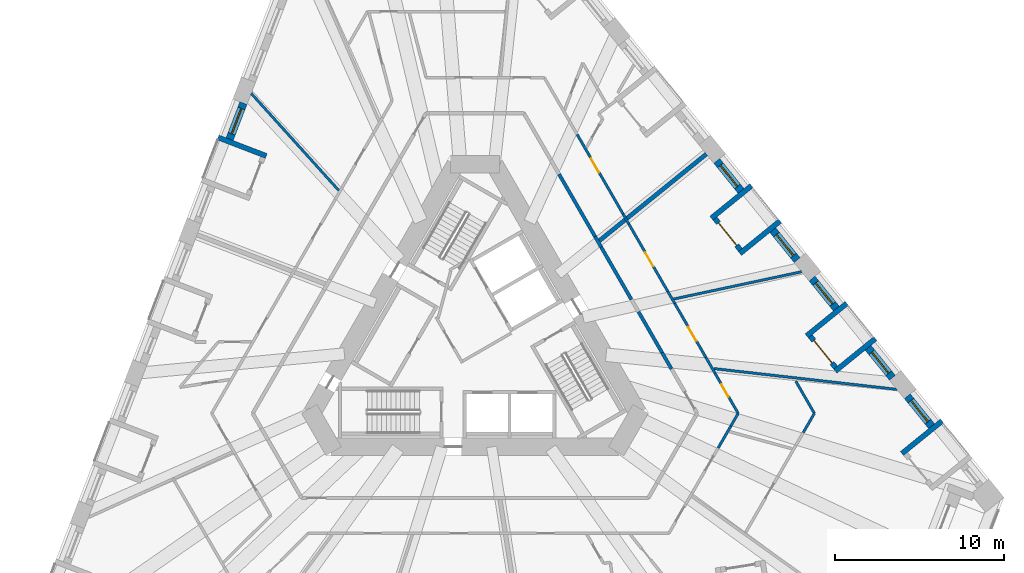
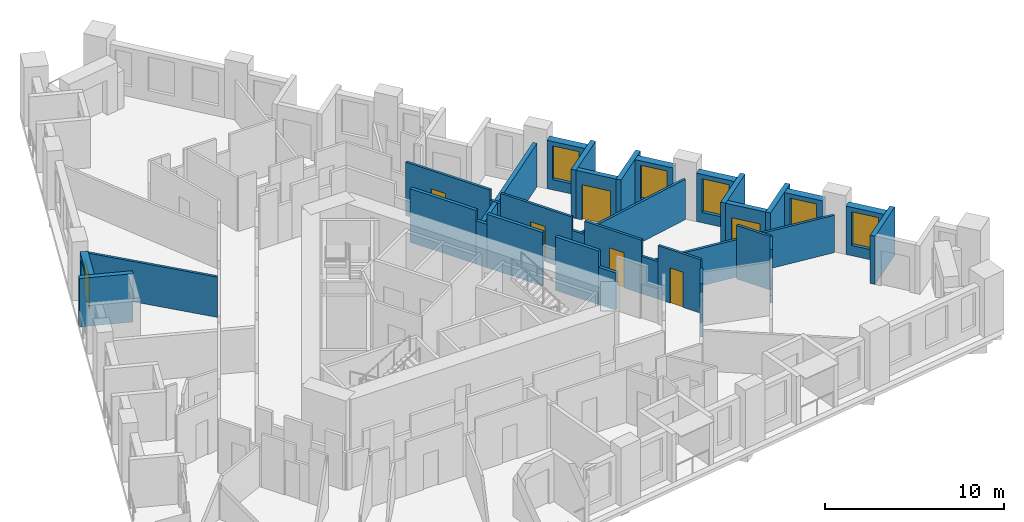
# One storey, part 7 of 14: 34 walls, 6 doors, 6 windows, 12 openings.
"""IFC4 building model written with IfcOpenShell, lengths in metres."""

from ifc_helpers import new_model, si_unit, direction, frame, frame_2d, origin, place, context, subcontext, project, spatial, rectangle, extrude, material, layer, layer_set, type_object, element, fill, save


model = new_model("IFC4")

# Units and contexts
model_context = context("Model", 3, precision=1e-05, world=origin(), true_north=direction((0.0, 1.0)))
body_context = subcontext(model_context, "Body", "Model", "MODEL_VIEW")
ifc_project = project(units=[si_unit("LENGTHUNIT", "METRE"), si_unit("AREAUNIT", "SQUARE_METRE"), si_unit("VOLUMEUNIT", "CUBIC_METRE"), si_unit("PLANEANGLEUNIT", "RADIAN"), si_unit("MASSUNIT", "GRAM", prefix="KILO")], contexts=[model_context])

# Site, building, storey
site_placement = place(None, origin())
site = spatial("IfcSite", under=ifc_project, at=site_placement, CompositionType="ELEMENT")
building_placement = place(site_placement, origin())
building = spatial("IfcBuilding", under=site, at=building_placement, Name="Tramontana Tower", CompositionType="ELEMENT")
storey_placement = place(building_placement, frame((0.0, 0.0, 55.199951171875)))
storey = spatial("IfcBuildingStorey", under=building, at=storey_placement, Name="L11", CompositionType="ELEMENT", Elevation=55.199951171875)

# Walls
ifc_material_1 = material(Name="Blockwork", Category="masonry")
ifc_layer_1 = layer(ifc_material_1, 0.199951171875)
ifc_layer_set_1 = layer_set([ifc_layer_1], Name="ENTRY WALL 200")
wall_type_1 = type_object("IfcWallType", Name="ENTRY WALL 200", PredefinedType="SOLIDWALL", material=ifc_layer_set_1)
wall_1_placement = place(storey_placement, frame((4.97265625, 9.88720703125, 0.0), z_axis=(0.0, 0.0, 1.0), x_axis=(0.500000470374, -0.866025132214, 0.0)))
element("IfcWall", 1, at=wall_1_placement, inside=storey, type_object=wall_type_1, Name="Wall v10-ew0-2", PredefinedType="SOLIDWALL", context=body_context, shape_type="SweptSolid", body=[
    extrude(rectangle(XDim=4.2568359375, YDim=0.199951171875, at=frame_2d((2.12841796875, 0.0))), origin(), (0.0, 0.0, 1.0), 3.650146484375),
])
wall_2_placement = place(storey_placement, frame((7.10107421875, 6.20068359375, 0.0), z_axis=(0.0, 0.0, 1.0), x_axis=(0.499881507708, -0.866093804534, 0.0)))
element("IfcWall", 2, at=wall_2_placement, inside=storey, type_object=wall_type_1, Name="Wall v10-ew0-3", PredefinedType="SOLIDWALL", context=body_context, shape_type="SweptSolid", body=[
    extrude(rectangle(XDim=0.708740234375, YDim=0.199951171875, at=frame_2d((0.3544921875, 0.0))), origin(), (0.0, 0.0, 1.0), 2.949951171875),
])
wall_3_placement = place(storey_placement, frame((7.455322265625, 5.5869140625, 0.0), z_axis=(0.0, 0.0, 1.0), x_axis=(0.500013241293, -0.866017758786, 0.0)))
element("IfcWall", 3, at=wall_3_placement, inside=storey, type_object=wall_type_1, Name="Wall v10-ew0-4", PredefinedType="SOLIDWALL", context=body_context, shape_type="SweptSolid", body=[
    extrude(rectangle(XDim=3.58544921875, YDim=0.199951171875, at=frame_2d((1.792724609375, 0.0))), origin(), (0.0, 0.0, 1.0), 3.650146484375),
])
wall_4_placement = place(storey_placement, frame((9.667236328125, 1.756103515625, 0.0), z_axis=(0.0, 0.0, 1.0), x_axis=(0.499964529649, -0.866045881633, 0.0)))
element("IfcWall", 4, at=wall_4_placement, inside=storey, type_object=wall_type_1, Name="Wall v10-ew0-6", PredefinedType="SOLIDWALL", context=body_context, shape_type="SweptSolid", body=[
    extrude(rectangle(XDim=2.793701171875, YDim=0.199951171875, at=frame_2d((1.39697265625, 0.0))), origin(), (0.0, 0.0, 1.0), 3.650146484375),
])
wall_5_placement = place(storey_placement, frame((11.06396484375, -0.663330078125, 0.0), z_axis=(0.0, 0.0, 1.0), x_axis=(0.499951133605, -0.866053614973, 0.0)))
element("IfcWall", 5, at=wall_5_placement, inside=storey, type_object=wall_type_1, Name="Wall v10-ew0-7", PredefinedType="SOLIDWALL", context=body_context, shape_type="SweptSolid", body=[
    extrude(rectangle(XDim=1.10888671875, YDim=0.199951171875, at=frame_2d((0.554443359375, 0.0))), origin(), (0.0, 0.0, 1.0), 2.550048828125),
])

# Wall, opening, window
ifc_material_2 = material(Name="Precast concrete 60 MPa", Category="concrete")
ifc_layer_2 = layer(ifc_material_2, 0.449951171875)
ifc_layer_set_2 = layer_set([ifc_layer_2], Name="Precast concrete 60 MPa, 450 mm")
wall_type_2 = type_object("IfcWallType", Name="EW1 Stone-faced precast wall 450", PredefinedType="SOLIDWALL", material=ifc_layer_set_2)
wall_6_placement = place(storey_placement, frame((-13.684814453125, 14.0888671875, 0.0), z_axis=(0.0, 0.0, 1.0), x_axis=(-0.35844875217, -0.933549405264, 0.0)))
wall_6 = element("IfcWall", 6, at=wall_6_placement, inside=storey, type_object=wall_type_2, Name="External wall L11 face 0 bay 3", PredefinedType="SOLIDWALL", context=body_context, shape_type="SweptSolid", body=[
    extrude(rectangle(XDim=2.282958984375, YDim=0.449951171875, at=frame_2d((1.1416015625, 0.0))), origin(), (0.0, 0.0, 1.0), 3.300048828125),
])
opening_1_placement = place(wall_6_placement, frame((0.341552734375, 0.0, 0.699951171875)))
opening_1 = element("IfcOpeningElement", 7, at=opening_1_placement, cuts=wall_6, Name="Opening M1", PredefinedType="OPENING", context=body_context, shape_type="SweptSolid", body=[
    extrude(rectangle(XDim=1.60009765625, YDim=2.300048828125, at=frame_2d((0.800048828125, 1.14990234375))), frame((0.0, 0.23486328125, 0.0), z_axis=(0.0, -1.0, 0.0), x_axis=(1.0, 0.0, 0.0)), (0.0, 0.0, 1.0), 0.469970703125),
])
ifc_material_3 = material(Name="Aluminum frame, double glazing unit", Category="aluminium")
window_type = type_object("IfcWindowType", Name="M1 Window 1.6 x 2.3", PartitioningType="SINGLE_PANEL", PredefinedType="WINDOW", material=ifc_material_3)
window_1_placement = place(opening_1_placement, origin())
window_1 = element("IfcWindow", 8, at=window_1_placement, inside=storey, type_object=window_type, Name="Window M1 L11 face 0 module 7", OverallHeight=2.300048828125, OverallWidth=1.60009765625, PartitioningType="SINGLE_PANEL", PredefinedType="WINDOW", context=body_context, shape_type="SweptSolid", body=[
    extrude(rectangle(XDim=1.60009765625, YDim=2.300048828125, at=frame_2d((0.800048828125, 1.14990234375))), frame((0.0, 0.030029296875, 0.0), z_axis=(0.0, -1.0, 0.0), x_axis=(1.0, 0.0, 0.0)), (0.0, 0.0, 1.0), 0.06005859375),
])
fill(opening_1, window_1)

wall_7_placement = place(storey_placement, frame((26.993408203125, -5.009765625, 0.0), z_axis=(0.0, 0.0, 1.0), x_axis=(-0.629339730135, 0.777130300576, 0.0)))
wall_7 = element("IfcWall", 9, at=wall_7_placement, inside=storey, type_object=wall_type_2, Name="External wall L11 face 2 bay 1", PredefinedType="SOLIDWALL", context=body_context, shape_type="SweptSolid", body=[
    extrude(rectangle(XDim=2.282958984375, YDim=0.449951171875, at=frame_2d((1.1416015625, 0.0))), origin(), (0.0, 0.0, 1.0), 3.300048828125),
])
opening_2_placement = place(wall_7_placement, frame((0.341552734375, 0.0, 0.699951171875)))
opening_2 = element("IfcOpeningElement", 10, at=opening_2_placement, cuts=wall_7, Name="Opening M1", PredefinedType="OPENING", context=body_context, shape_type="SweptSolid", body=[
    extrude(rectangle(XDim=1.60009765625, YDim=2.300048828125, at=frame_2d((0.800048828125, 1.14990234375))), frame((0.0, 0.23486328125, 0.0), z_axis=(0.0, -1.0, 0.0), x_axis=(1.0, 0.0, 0.0)), (0.0, 0.0, 1.0), 0.469970703125),
])
window_2_placement = place(opening_2_placement, origin())
window_2 = element("IfcWindow", 11, at=window_2_placement, inside=storey, type_object=window_type, Name="Window M1 L11 face 2 module 3", OverallHeight=2.300048828125, OverallWidth=1.60009765625, PartitioningType="SINGLE_PANEL", PredefinedType="WINDOW", context=body_context, shape_type="SweptSolid", body=[
    extrude(rectangle(XDim=1.60009765625, YDim=2.300048828125, at=frame_2d((0.800048828125, 1.14990234375))), frame((0.0, 0.030029296875, 0.0), z_axis=(0.0, -1.0, 0.0), x_axis=(1.0, 0.0, 0.0)), (0.0, 0.0, 1.0), 0.06005859375),
])
fill(opening_2, window_2)

wall_8_placement = place(storey_placement, frame((24.675537109375, -2.147705078125, 0.0), z_axis=(0.0, 0.0, 1.0), x_axis=(-0.629287431131, 0.777172650716, 0.0)))
wall_8 = element("IfcWall", 12, at=wall_8_placement, inside=storey, type_object=wall_type_2, Name="External wall L11 face 2 bay 2", PredefinedType="SOLIDWALL", context=body_context, shape_type="SweptSolid", body=[
    extrude(rectangle(XDim=2.283203125, YDim=0.449951171875, at=frame_2d((1.1416015625, 0.0))), origin(), (0.0, 0.0, 1.0), 3.300048828125),
])
opening_3_placement = place(wall_8_placement, frame((0.341552734375, 0.0, 0.699951171875)))
opening_3 = element("IfcOpeningElement", 13, at=opening_3_placement, cuts=wall_8, Name="Opening M1", PredefinedType="OPENING", context=body_context, shape_type="SweptSolid", body=[
    extrude(rectangle(XDim=1.60009765625, YDim=2.300048828125, at=frame_2d((0.800048828125, 1.14990234375))), frame((0.0, 0.23486328125, 0.0), z_axis=(0.0, -1.0, 0.0), x_axis=(1.0, 0.0, 0.0)), (0.0, 0.0, 1.0), 0.469970703125),
])
window_3_placement = place(opening_3_placement, origin())
window_3 = element("IfcWindow", 14, at=window_3_placement, inside=storey, type_object=window_type, Name="Window M1 L11 face 2 module 4", OverallHeight=2.300048828125, OverallWidth=1.60009765625, PartitioningType="SINGLE_PANEL", PredefinedType="WINDOW", context=body_context, shape_type="SweptSolid", body=[
    extrude(rectangle(XDim=1.60009765625, YDim=2.300048828125, at=frame_2d((0.800048828125, 1.14990234375))), frame((0.0, 0.030029296875, 0.0), z_axis=(0.0, -1.0, 0.0), x_axis=(1.0, 0.0, 0.0)), (0.0, 0.0, 1.0), 0.06005859375),
])
fill(opening_3, window_3)

wall_9_placement = place(storey_placement, frame((21.361572265625, 1.94482421875, 0.0), z_axis=(0.0, 0.0, 1.0), x_axis=(-0.629339730135, 0.777130300576, 0.0)))
wall_9 = element("IfcWall", 15, at=wall_9_placement, inside=storey, type_object=wall_type_2, Name="External wall L11 face 2 bay 2", PredefinedType="SOLIDWALL", context=body_context, shape_type="SweptSolid", body=[
    extrude(rectangle(XDim=2.282958984375, YDim=0.449951171875, at=frame_2d((1.1416015625, 0.0))), origin(), (0.0, 0.0, 1.0), 3.300048828125),
])
opening_4_placement = place(wall_9_placement, frame((0.341552734375, 0.0, 0.699951171875)))
opening_4 = element("IfcOpeningElement", 16, at=opening_4_placement, cuts=wall_9, Name="Opening M1", PredefinedType="OPENING", context=body_context, shape_type="SweptSolid", body=[
    extrude(rectangle(XDim=1.60009765625, YDim=2.300048828125, at=frame_2d((0.800048828125, 1.14990234375))), frame((0.0, 0.23486328125, 0.0), z_axis=(0.0, -1.0, 0.0), x_axis=(1.0, 0.0, 0.0)), (0.0, 0.0, 1.0), 0.469970703125),
])
window_4_placement = place(opening_4_placement, origin())
window_4 = element("IfcWindow", 17, at=window_4_placement, inside=storey, type_object=window_type, Name="Window M1 L11 face 2 module 6", OverallHeight=2.300048828125, OverallWidth=1.60009765625, PartitioningType="SINGLE_PANEL", PredefinedType="WINDOW", context=body_context, shape_type="SweptSolid", body=[
    extrude(rectangle(XDim=1.60009765625, YDim=2.300048828125, at=frame_2d((0.800048828125, 1.14990234375))), frame((0.0, 0.030029296875, 0.0), z_axis=(0.0, -1.0, 0.0), x_axis=(1.0, 0.0, 0.0)), (0.0, 0.0, 1.0), 0.06005859375),
])
fill(opening_4, window_4)

wall_10_placement = place(storey_placement, frame((19.0439453125, 4.80712890625, 0.0), z_axis=(0.0, 0.0, 1.0), x_axis=(-0.629339730135, 0.777130300576, 0.0)))
wall_10 = element("IfcWall", 18, at=wall_10_placement, inside=storey, type_object=wall_type_2, Name="External wall L11 face 2 bay 3", PredefinedType="SOLIDWALL", context=body_context, shape_type="SweptSolid", body=[
    extrude(rectangle(XDim=2.282958984375, YDim=0.449951171875, at=frame_2d((1.1416015625, 0.0))), origin(), (0.0, 0.0, 1.0), 3.300048828125),
])
opening_5_placement = place(wall_10_placement, frame((0.341552734375, 0.0, 0.699951171875)))
opening_5 = element("IfcOpeningElement", 19, at=opening_5_placement, cuts=wall_10, Name="Opening M1", PredefinedType="OPENING", context=body_context, shape_type="SweptSolid", body=[
    extrude(rectangle(XDim=1.60009765625, YDim=2.300048828125, at=frame_2d((0.800048828125, 1.14990234375))), frame((0.0, 0.23486328125, 0.0), z_axis=(0.0, -1.0, 0.0), x_axis=(1.0, 0.0, 0.0)), (0.0, 0.0, 1.0), 0.469970703125),
])
window_5_placement = place(opening_5_placement, origin())
window_5 = element("IfcWindow", 20, at=window_5_placement, inside=storey, type_object=window_type, Name="Window M1 L11 face 2 module 7", OverallHeight=2.300048828125, OverallWidth=1.60009765625, PartitioningType="SINGLE_PANEL", PredefinedType="WINDOW", context=body_context, shape_type="SweptSolid", body=[
    extrude(rectangle(XDim=1.60009765625, YDim=2.300048828125, at=frame_2d((0.800048828125, 1.14990234375))), frame((0.0, 0.030029296875, 0.0), z_axis=(0.0, -1.0, 0.0), x_axis=(1.0, 0.0, 0.0)), (0.0, 0.0, 1.0), 0.06005859375),
])
fill(opening_5, window_5)

wall_11_placement = place(storey_placement, frame((15.72998046875, 8.8994140625, 0.0), z_axis=(0.0, 0.0, 1.0), x_axis=(-0.629339730135, 0.777130300576, 0.0)))
wall_11 = element("IfcWall", 21, at=wall_11_placement, inside=storey, type_object=wall_type_2, Name="External wall L11 face 2 bay 3", PredefinedType="SOLIDWALL", context=body_context, shape_type="SweptSolid", body=[
    extrude(rectangle(XDim=2.282958984375, YDim=0.449951171875, at=frame_2d((1.1416015625, 0.0))), origin(), (0.0, 0.0, 1.0), 3.300048828125),
])
opening_6_placement = place(wall_11_placement, frame((0.341552734375, 0.0, 0.699951171875)))
opening_6 = element("IfcOpeningElement", 22, at=opening_6_placement, cuts=wall_11, Name="Opening M1", PredefinedType="OPENING", context=body_context, shape_type="SweptSolid", body=[
    extrude(rectangle(XDim=1.60009765625, YDim=2.300048828125, at=frame_2d((0.800048828125, 1.14990234375))), frame((0.0, 0.23486328125, 0.0), z_axis=(0.0, -1.0, 0.0), x_axis=(1.0, 0.0, 0.0)), (0.0, 0.0, 1.0), 0.469970703125),
])
window_6_placement = place(opening_6_placement, origin())
window_6 = element("IfcWindow", 23, at=window_6_placement, inside=storey, type_object=window_type, Name="Window M1 L11 face 2 module 9", OverallHeight=2.300048828125, OverallWidth=1.60009765625, PartitioningType="SINGLE_PANEL", PredefinedType="WINDOW", context=body_context, shape_type="SweptSolid", body=[
    extrude(rectangle(XDim=1.60009765625, YDim=2.300048828125, at=frame_2d((0.800048828125, 1.14990234375))), frame((0.0, 0.030029296875, 0.0), z_axis=(0.0, -1.0, 0.0), x_axis=(1.0, 0.0, 0.0)), (0.0, 0.0, 1.0), 0.06005859375),
])
fill(opening_6, window_6)

# Walls
ifc_material_4 = material(Name="Precast concrete 60 MPa", Category="concrete")
ifc_layer_3 = layer(ifc_material_4, 0.300048828125)
ifc_layer_set_3 = layer_set([ifc_layer_3], Name="LW1 Stone-faced loggia wall 300")
wall_type_3 = type_object("IfcWallType", Name="LW1 Stone-faced loggia wall 300", PredefinedType="SOLIDWALL", material=ifc_layer_set_3)
for number, where, z_axis, x_axis, name in (
    (24, (-15.18701171875, 12.0595703125, 0.0), (0.0, 0.0, 1.0), (0.933580593625, -0.358367514161, 0.0), "Loggia return L11 G1S0.7a"),
    (25, (27.6123046875, -4.70166015625, 0.0), (0.0, 0.0, 1.0), (-0.777153523895, -0.629311052102, 0.0), "Loggia return L11 G1S2.1b"),
):
    element("IfcWall", number, at=place(storey_placement, frame(where, z_axis=z_axis, x_axis=x_axis)), inside=storey, type_object=wall_type_3, Name=name, PredefinedType="SOLIDWALL", context=body_context, shape_type="SweptSolid", body=[
        extrude(rectangle(XDim=3.050048828125, YDim=0.300048828125, at=frame_2d((1.52490234375, 0.0))), origin(), (0.0, 0.0, 1.0), 3.300048828125),
    ])

# Wall, opening, door
wall_12_placement = place(storey_placement, frame((21.32080078125, -1.54052734375, 0.0), z_axis=(0.0, 0.0, 1.0), x_axis=(-0.629257171563, 0.777197151331, 0.0)))
wall_12 = element("IfcWall", 26, at=wall_12_placement, inside=storey, type_object=wall_type_3, Name="Loggia wall L11 G1S2.4", PredefinedType="SOLIDWALL", context=body_context, shape_type="SweptSolid", body=[
    extrude(rectangle(XDim=2.383056640625, YDim=0.300048828125, at=frame_2d((1.19140625, 0.0))), origin(), (0.0, 0.0, 1.0), 3.300048828125),
])
opening_7_placement = place(wall_12_placement, frame((0.341552734375, 0.0, 0.0)))
opening_7 = element("IfcOpeningElement", 27, at=opening_7_placement, cuts=wall_12, Name="Opening BD-1S2-04", PredefinedType="OPENING", context=body_context, shape_type="SweptSolid", body=[
    extrude(rectangle(XDim=1.699951171875, YDim=2.39990234375, at=frame_2d((0.85009765625, 1.199951171875))), frame((0.0, 0.159912109375, 0.0), z_axis=(0.0, -1.0, 0.0), x_axis=(1.0, 0.0, 0.0)), (0.0, 0.0, 1.0), 0.320068359375),
])
ifc_material_5 = material(Name="Aluminum frame, double glazing unit", Category="aluminium")
door_type_1 = type_object("IfcDoorType", Name="BD1 Sliding door 1.7 x 2.4", OperationType="SLIDING_TO_LEFT", PredefinedType="DOOR", material=ifc_material_5)
door_1_placement = place(opening_7_placement, origin())
door_1 = element("IfcDoor", 28, at=door_1_placement, inside=storey, type_object=door_type_1, Name="Loggia door L11 G1S2.4", OperationType="SLIDING_TO_LEFT", OverallHeight=2.39990234375, OverallWidth=1.699951171875, PredefinedType="DOOR", context=body_context, shape_type="SweptSolid", body=[
    extrude(rectangle(XDim=1.699951171875, YDim=2.39990234375, at=frame_2d((0.85009765625, 1.199951171875))), frame((0.0, 0.02490234375, 0.0), z_axis=(0.0, -1.0, 0.0), x_axis=(1.0, 0.0, 0.0)), (0.0, 0.0, 1.0), 0.050048828125),
])
fill(opening_7, door_1)

# Walls
for number, where, z_axis, x_axis, name in (
    (29, (23.6689453125, 0.16796875, 0.0), (0.0, 0.0, 1.0), (-0.777121820661, -0.629350201281, 0.0), "Loggia return L11 G1S2.4a"),
    (30, (21.98046875, 2.2529296875, 0.0), (0.0, 0.0, 1.0), (-0.777121820661, -0.629350201281, 0.0), "Loggia return L11 G1S2.4b"),
):
    element("IfcWall", number, at=place(storey_placement, frame(where, z_axis=z_axis, x_axis=x_axis)), inside=storey, type_object=wall_type_3, Name=name, PredefinedType="SOLIDWALL", context=body_context, shape_type="SweptSolid", body=[
        extrude(rectangle(XDim=3.0498046875, YDim=0.300048828125, at=frame_2d((1.52490234375, 0.0))), origin(), (0.0, 0.0, 1.0), 3.300048828125),
    ])

# Wall, opening, door
wall_13_placement = place(storey_placement, frame((15.689208984375, 5.4140625, 0.0), z_axis=(0.0, 0.0, 1.0), x_axis=(-0.629319049918, 0.777147047482, 0.0)))
wall_13 = element("IfcWall", 31, at=wall_13_placement, inside=storey, type_object=wall_type_3, Name="Loggia wall L11 G1S2.7", PredefinedType="SOLIDWALL", context=body_context, shape_type="SweptSolid", body=[
    extrude(rectangle(XDim=2.383056640625, YDim=0.300048828125, at=frame_2d((1.19140625, 0.0))), origin(), (0.0, 0.0, 1.0), 3.300048828125),
])
opening_8_placement = place(wall_13_placement, frame((0.341552734375, 0.0, 0.0)))
opening_8 = element("IfcOpeningElement", 32, at=opening_8_placement, cuts=wall_13, Name="Opening BD-1S2-07", PredefinedType="OPENING", context=body_context, shape_type="SweptSolid", body=[
    extrude(rectangle(XDim=1.699951171875, YDim=2.39990234375, at=frame_2d((0.85009765625, 1.199951171875))), frame((0.0, 0.159912109375, 0.0), z_axis=(0.0, -1.0, 0.0), x_axis=(1.0, 0.0, 0.0)), (0.0, 0.0, 1.0), 0.320068359375),
])
door_2_placement = place(opening_8_placement, origin())
door_2 = element("IfcDoor", 33, at=door_2_placement, inside=storey, type_object=door_type_1, Name="Loggia door L11 G1S2.7", OperationType="SLIDING_TO_LEFT", OverallHeight=2.39990234375, OverallWidth=1.699951171875, PredefinedType="DOOR", context=body_context, shape_type="SweptSolid", body=[
    extrude(rectangle(XDim=1.699951171875, YDim=2.39990234375, at=frame_2d((0.85009765625, 1.199951171875))), frame((0.0, 0.02490234375, 0.0), z_axis=(0.0, -1.0, 0.0), x_axis=(1.0, 0.0, 0.0)), (0.0, 0.0, 1.0), 0.050048828125),
])
fill(opening_8, door_2)

# Walls
for number, where, z_axis, x_axis, name in (
    (34, (18.037353515625, 7.12255859375, 0.0), (0.0, 0.0, 1.0), (-0.777153523895, -0.629311052102, 0.0), "Loggia return L11 G1S2.7a"),
    (35, (16.348876953125, 9.207763671875, 0.0), (0.0, 0.0, 1.0), (-0.777153523895, -0.629311052102, 0.0), "Loggia return L11 G1S2.7b"),
):
    element("IfcWall", number, at=place(storey_placement, frame(where, z_axis=z_axis, x_axis=x_axis)), inside=storey, type_object=wall_type_3, Name=name, PredefinedType="SOLIDWALL", context=body_context, shape_type="SweptSolid", body=[
        extrude(rectangle(XDim=3.050048828125, YDim=0.300048828125, at=frame_2d((1.52490234375, 0.0))), origin(), (0.0, 0.0, 1.0), 3.300048828125),
    ])
ifc_material_6 = material(Name="Gypsum board partition")
ifc_layer_4 = layer(ifc_material_6, 0.14990234375)
ifc_layer_set_4 = layer_set([ifc_layer_4], Name="PARTITION 150")
wall_type_4 = type_object("IfcWallType", Name="PARTITION 150", PredefinedType="PARTITIONING", material=ifc_layer_set_4)
wall_14_placement = place(storey_placement, frame((-8.04345703125, 8.918212890625, 0.0), z_axis=(0.0, 0.0, 1.0), x_axis=(-0.669776960547, 0.742562336185, 0.0)))
element("IfcWall", 36, at=wall_14_placement, inside=storey, type_object=wall_type_4, Name="Wall v10-pw12-0", PredefinedType="PARTITIONING", context=body_context, shape_type="SweptSolid", body=[
    extrude(rectangle(XDim=7.73486328125, YDim=0.14990234375, at=frame_2d((3.867431640625, 0.0))), origin(), (0.0, 0.0, 1.0), 2.75),
])

# Wall, opening, door
wall_15_placement = place(storey_placement, frame((6.038330078125, 12.241455078125, 0.0), z_axis=(0.0, 0.0, 1.0), x_axis=(0.500003308737, -0.866023493476, 0.0)))
wall_15 = element("IfcWall", 37, at=wall_15_placement, inside=storey, type_object=wall_type_4, Name="Wall v10-pw23-2", PredefinedType="PARTITIONING", context=body_context, shape_type="SweptSolid", body=[
    extrude(rectangle(XDim=5.44287109375, YDim=0.14990234375, at=frame_2d((2.721435546875, 0.0))), origin(), (0.0, 0.0, 1.0), 3.650146484375),
])
opening_9_placement = place(wall_15_placement, frame((1.639892578125, 0.0, 0.0)))
opening_9 = element("IfcOpeningElement", 38, at=opening_9_placement, cuts=wall_15, Name="Opening B1A-05", PredefinedType="OPENING", context=body_context, shape_type="SweptSolid", body=[
    extrude(rectangle(XDim=0.949951171875, YDim=2.39990234375, at=frame_2d((0.47509765625, 1.199951171875))), frame((0.0, 0.0849609375, 0.0), z_axis=(0.0, -1.0, 0.0), x_axis=(1.0, 0.0, 0.0)), (0.0, 0.0, 1.0), 0.169921875),
])
ifc_material_7 = material(Name="Painted timber", Category="wood")
door_type_2 = type_object("IfcDoorType", Name="DOOR ROOM 950", OperationType="SINGLE_SWING_LEFT", PredefinedType="DOOR", material=ifc_material_7)
door_3_placement = place(opening_9_placement, origin())
door_3 = element("IfcDoor", 39, at=door_3_placement, inside=storey, type_object=door_type_2, Name="Door B1A-05", OperationType="SINGLE_SWING_LEFT", OverallHeight=2.39990234375, OverallWidth=0.949951171875, PredefinedType="DOOR", context=body_context, shape_type="SweptSolid", body=[
    extrude(rectangle(XDim=0.949951171875, YDim=2.39990234375, at=frame_2d((0.47509765625, 1.199951171875))), frame((0.0, 0.02490234375, 0.0), z_axis=(0.0, -1.0, 0.0), x_axis=(1.0, 0.0, 0.0)), (0.0, 0.0, 1.0), 0.050048828125),
])
fill(opening_9, door_3)

# Wall
wall_16_placement = place(storey_placement, frame((8.759765625, 7.52783203125, 0.0), z_axis=(0.0, 0.0, 1.0), x_axis=(0.499712146016, -0.866191532586, 0.0)))
element("IfcWall", 40, at=wall_16_placement, inside=storey, type_object=wall_type_4, Name="Wall v10-pw23-3", PredefinedType="PARTITIONING", context=body_context, shape_type="SweptSolid", body=[
    extrude(rectangle(XDim=0.68359375, YDim=0.14990234375, at=frame_2d((0.341796875, 0.0))), origin(), (0.0, 0.0, 1.0), 2.949951171875),
])

# Wall, opening, door
wall_17_placement = place(storey_placement, frame((9.101318359375, 6.935791015625, 0.0), z_axis=(0.0, 0.0, 1.0), x_axis=(0.500008794324, -0.866020326319, 0.0)))
wall_17 = element("IfcWall", 41, at=wall_17_placement, inside=storey, type_object=wall_type_4, Name="Wall v10-pw23-4", PredefinedType="PARTITIONING", context=body_context, shape_type="SweptSolid", body=[
    extrude(rectangle(XDim=4.6005859375, YDim=0.14990234375, at=frame_2d((2.30029296875, 0.0))), origin(), (0.0, 0.0, 1.0), 3.650146484375),
])
opening_10_placement = place(wall_17_placement, frame((1.92236328125, 0.0, 0.0)))
opening_10 = element("IfcOpeningElement", 42, at=opening_10_placement, cuts=wall_17, Name="Opening B1A-24", PredefinedType="OPENING", context=body_context, shape_type="SweptSolid", body=[
    extrude(rectangle(XDim=0.949951171875, YDim=2.39990234375, at=frame_2d((0.47509765625, 1.199951171875))), frame((0.0, 0.0849609375, 0.0), z_axis=(0.0, -1.0, 0.0), x_axis=(1.0, 0.0, 0.0)), (0.0, 0.0, 1.0), 0.169921875),
])
door_4_placement = place(opening_10_placement, origin())
door_4 = element("IfcDoor", 43, at=door_4_placement, inside=storey, type_object=door_type_2, Name="Door B1A-24", OperationType="SINGLE_SWING_RIGHT", OverallHeight=2.39990234375, OverallWidth=0.949951171875, PredefinedType="DOOR", context=body_context, shape_type="SweptSolid", body=[
    extrude(rectangle(XDim=0.949951171875, YDim=2.39990234375, at=frame_2d((0.47509765625, 1.199951171875))), frame((0.0, 0.02490234375, 0.0), z_axis=(0.0, -1.0, 0.0), x_axis=(1.0, 0.0, 0.0)), (0.0, 0.0, 1.0), 0.050048828125),
])
fill(opening_10, door_4)

# Wall
wall_18_placement = place(storey_placement, frame((11.401611328125, 2.95166015625, 0.0), z_axis=(0.0, 0.0, 1.0), x_axis=(0.500147393723, -0.865940289253, 0.0)))
element("IfcWall", 44, at=wall_18_placement, inside=storey, type_object=wall_type_4, Name="Wall v10-pw23-5", PredefinedType="PARTITIONING", context=body_context, shape_type="SweptSolid", body=[
    extrude(rectangle(XDim=0.812255859375, YDim=0.14990234375, at=frame_2d((0.40625, 0.0))), origin(), (0.0, 0.0, 1.0), 2.75),
])

# Wall, opening, door
wall_19_placement = place(storey_placement, frame((11.807861328125, 2.248291015625, 0.0), z_axis=(0.0, 0.0, 1.0), x_axis=(0.500002145574, -0.866024165033, 0.0)))
wall_19 = element("IfcWall", 45, at=wall_19_placement, inside=storey, type_object=wall_type_4, Name="Wall v10-pw23-6", PredefinedType="PARTITIONING", context=body_context, shape_type="SweptSolid", body=[
    extrude(rectangle(XDim=3.67724609375, YDim=0.14990234375, at=frame_2d((1.838623046875, 0.0))), origin(), (0.0, 0.0, 1.0), 3.650146484375),
])
opening_11_placement = place(wall_19_placement, frame((1.603515625, 0.0, 0.0)))
opening_11 = element("IfcOpeningElement", 46, at=opening_11_placement, cuts=wall_19, Name="Opening B1A-23", PredefinedType="OPENING", context=body_context, shape_type="SweptSolid", body=[
    extrude(rectangle(XDim=0.949951171875, YDim=2.39990234375, at=frame_2d((0.47509765625, 1.199951171875))), frame((0.0, 0.0849609375, 0.0), z_axis=(0.0, -1.0, 0.0), x_axis=(1.0, 0.0, 0.0)), (0.0, 0.0, 1.0), 0.169921875),
])
door_5_placement = place(opening_11_placement, origin())
door_5 = element("IfcDoor", 47, at=door_5_placement, inside=storey, type_object=door_type_2, Name="Door B1A-23", OperationType="SINGLE_SWING_LEFT", OverallHeight=2.39990234375, OverallWidth=0.949951171875, PredefinedType="DOOR", context=body_context, shape_type="SweptSolid", body=[
    extrude(rectangle(XDim=0.949951171875, YDim=2.39990234375, at=frame_2d((0.47509765625, 1.199951171875))), frame((0.0, 0.02490234375, 0.0), z_axis=(0.0, -1.0, 0.0), x_axis=(1.0, 0.0, 0.0)), (0.0, 0.0, 1.0), 0.050048828125),
])
fill(opening_11, door_5)

# Wall
wall_20_placement = place(storey_placement, frame((13.646484375, -0.936279296875, 0.0), z_axis=(0.0, 0.0, 1.0), x_axis=(0.499938053331, -0.866061165757, 0.0)))
element("IfcWall", 48, at=wall_20_placement, inside=storey, type_object=wall_type_4, Name="Wall v10-pw23-7", PredefinedType="PARTITIONING", context=body_context, shape_type="SweptSolid", body=[
    extrude(rectangle(XDim=1.078369140625, YDim=0.14990234375, at=frame_2d((0.5390625, 0.0))), origin(), (0.0, 0.0, 1.0), 2.550048828125),
])

# Wall, opening, door
wall_21_placement = place(storey_placement, frame((14.185546875, -1.8701171875, 0.0), z_axis=(0.0, 0.0, 1.0), x_axis=(0.499999305434, -0.866025804792, 0.0)))
wall_21 = element("IfcWall", 49, at=wall_21_placement, inside=storey, type_object=wall_type_4, Name="Wall v10-pw23-8", PredefinedType="PARTITIONING", context=body_context, shape_type="SweptSolid", body=[
    extrude(rectangle(XDim=2.748046875, YDim=0.14990234375, at=frame_2d((1.3740234375, 0.0))), origin(), (0.0, 0.0, 1.0), 3.650146484375),
])
opening_12_placement = place(wall_21_placement, frame((0.767822265625, 0.0, 0.0)))
opening_12 = element("IfcOpeningElement", 50, at=opening_12_placement, cuts=wall_21, Name="Opening B1A-20", PredefinedType="OPENING", context=body_context, shape_type="SweptSolid", body=[
    extrude(rectangle(XDim=0.85009765625, YDim=2.39990234375, at=frame_2d((0.425048828125, 1.199951171875))), frame((0.0, 0.0849609375, 0.0), z_axis=(0.0, -1.0, 0.0), x_axis=(1.0, 0.0, 0.0)), (0.0, 0.0, 1.0), 0.169921875),
])
ifc_material_8 = material(Name="Painted timber", Category="wood")
door_type_3 = type_object("IfcDoorType", Name="DOOR BATH 850", OperationType="SINGLE_SWING_LEFT", PredefinedType="DOOR", material=ifc_material_8)
door_6_placement = place(opening_12_placement, origin())
door_6 = element("IfcDoor", 51, at=door_6_placement, inside=storey, type_object=door_type_3, Name="Door B1A-20", OperationType="SINGLE_SWING_RIGHT", OverallHeight=2.39990234375, OverallWidth=0.85009765625, PredefinedType="DOOR", context=body_context, shape_type="SweptSolid", body=[
    extrude(rectangle(XDim=0.85009765625, YDim=2.39990234375, at=frame_2d((0.425048828125, 1.199951171875))), frame((0.0, 0.02490234375, 0.0), z_axis=(0.0, -1.0, 0.0), x_axis=(1.0, 0.0, 0.0)), (0.0, 0.0, 1.0), 0.050048828125),
])
fill(opening_12, door_6)

# Walls
wall_22_placement = place(storey_placement, frame((11.7451171875, 2.5068359375, 0.0), z_axis=(0.0, 0.0, 1.0), x_axis=(0.97797299527, 0.208731455516, 0.0)))
element("IfcWall", 52, at=wall_22_placement, inside=storey, type_object=wall_type_4, Name="Wall v10-pw36-0", PredefinedType="PARTITIONING", context=body_context, shape_type="SweptSolid", body=[
    extrude(rectangle(XDim=7.73486328125, YDim=0.14990234375, at=frame_2d((3.867431640625, 0.0))), origin(), (0.0, 0.0, 1.0), 2.75),
])
wall_23_placement = place(storey_placement, frame((14.118408203125, -1.603759765625, 0.0), z_axis=(0.0, 0.0, 1.0), x_axis=(0.993609026083, -0.112876495722, 0.0)))
element("IfcWall", 53, at=wall_23_placement, inside=storey, type_object=wall_type_4, Name="Wall v10-pw38-0", PredefinedType="PARTITIONING", context=body_context, shape_type="SweptSolid", body=[
    extrude(rectangle(XDim=10.892333984375, YDim=0.14990234375, at=frame_2d((5.4462890625, 0.0))), origin(), (0.0, 0.0, 1.0), 2.550048828125),
])
wall_24_placement = place(storey_placement, frame((15.5595703125, -4.25, 0.0), z_axis=(0.0, 0.0, 1.0), x_axis=(-0.500003763204, -0.866023231087, 0.0)))
element("IfcWall", 54, at=wall_24_placement, inside=storey, type_object=wall_type_4, Name="Wall v10-pw40-0", PredefinedType="PARTITIONING", context=body_context, shape_type="SweptSolid", body=[
    extrude(rectangle(XDim=0.87646484375, YDim=0.14990234375, at=frame_2d((0.438232421875, 0.0))), origin(), (0.0, 0.0, 1.0), 2.550048828125),
])
wall_25_placement = place(storey_placement, frame((15.121337890625, -5.009033203125, 0.0), z_axis=(0.0, 0.0, 1.0), x_axis=(-0.500025795397, -0.866010510293, 0.0)))
element("IfcWall", 55, at=wall_25_placement, inside=storey, type_object=wall_type_4, Name="Wall v10-pw40-1", PredefinedType="PARTITIONING", context=body_context, shape_type="SweptSolid", body=[
    extrude(rectangle(XDim=1.486328125, YDim=0.14990234375, at=frame_2d((0.7431640625, 0.0))), origin(), (0.0, 0.0, 1.0), 3.650146484375),
])
wall_26_placement = place(storey_placement, frame((18.96728515625, -2.35205078125, 0.0), z_axis=(0.0, 0.0, 1.0), x_axis=(0.499973180286, -0.8660408876, 0.0)))
element("IfcWall", 56, at=wall_26_placement, inside=storey, type_object=wall_type_4, Name="Wall v10-pw41-1", PredefinedType="PARTITIONING", context=body_context, shape_type="SweptSolid", body=[
    extrude(rectangle(XDim=2.19140625, YDim=0.14990234375, at=frame_2d((1.095703125, 0.0))), origin(), (0.0, 0.0, 1.0), 3.650146484375),
])
wall_27_placement = place(storey_placement, frame((20.06298828125, -4.25, 0.0), z_axis=(0.0, 0.0, 1.0), x_axis=(-0.500103875667, -0.865965422833, 0.0)))
element("IfcWall", 57, at=wall_27_placement, inside=storey, type_object=wall_type_4, Name="Wall v10-pw42-0", PredefinedType="PARTITIONING", context=body_context, shape_type="SweptSolid", body=[
    extrude(rectangle(XDim=1.311279296875, YDim=0.14990234375, at=frame_2d((0.65576171875, 0.0))), origin(), (0.0, 0.0, 1.0), 3.650146484375),
])
ifc_material_9 = material(Name="Blockwork", Category="masonry")
ifc_layer_5 = layer(ifc_material_9, 0.25)
ifc_layer_set_5 = layer_set([ifc_layer_5], Name="PARTY WALL 250")
wall_type_5 = type_object("IfcWallType", Name="PARTY WALL 250", PredefinedType="SOLIDWALL", material=ifc_layer_set_5)
wall_28_placement = place(storey_placement, frame((13.677734375, 11.075927734375, 0.0), z_axis=(0.0, 0.0, 1.0), x_axis=(-0.777150492193, -0.629314796015, 0.0)))
element("IfcWall", 58, at=wall_28_placement, inside=storey, type_object=wall_type_5, Name="Wall v10-pw37-0", PredefinedType="SOLIDWALL", context=body_context, shape_type="SweptSolid", body=[
    extrude(rectangle(XDim=8.13330078125, YDim=0.25, at=frame_2d((4.066650390625, 0.0))), origin(), (0.0, 0.0, 1.0), 2.949951171875),
])

save(model, "model.ifc")
